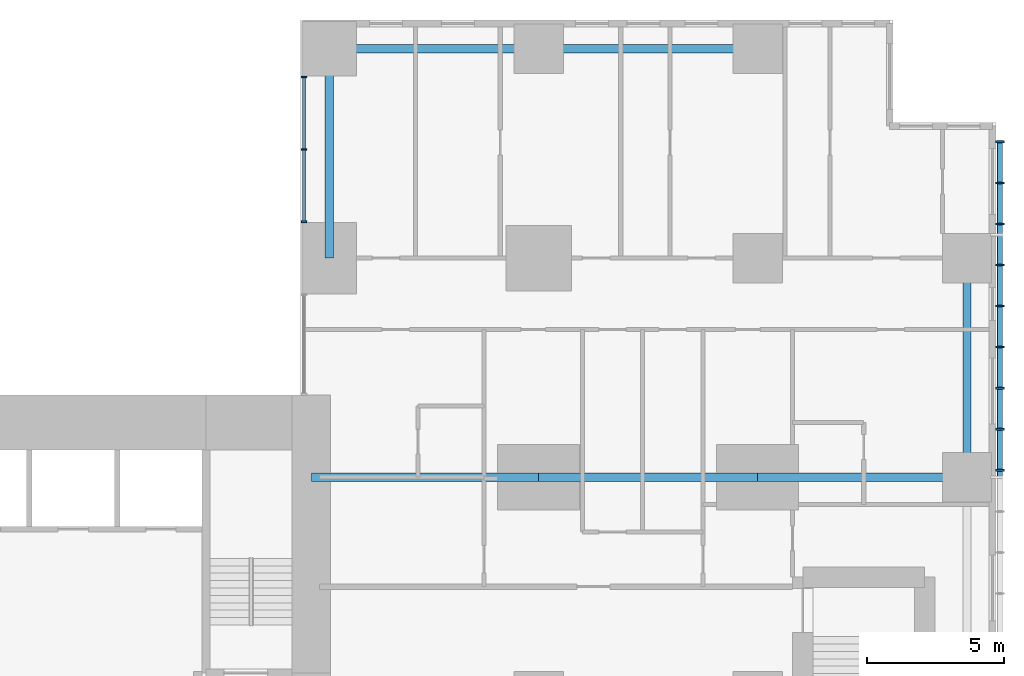
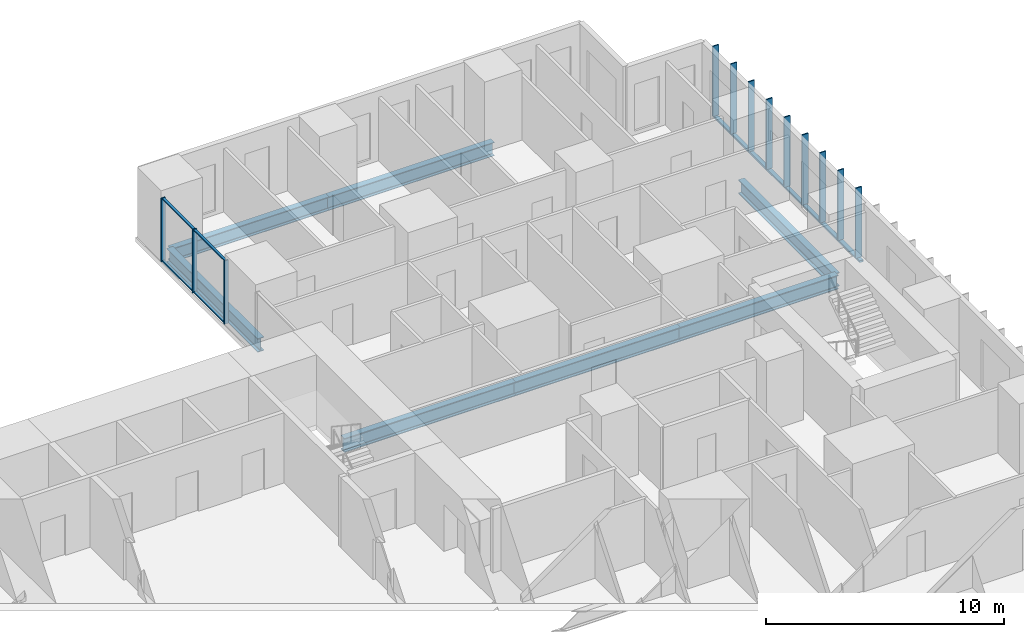
# One storey, part 5 of 15: 17 members, 7 beams, 1 element without a shape of its own.
"""IFC4 building model written with IfcOpenShell, lengths in metres."""

from ifc_helpers import new_model, si_unit, direction, frame, origin, origin_2d, place, context, subcontext, project, spatial, rectangle, hollow_rectangle, i_section, extrude, material, layer, layer_set, material_profile, profile_set, type_object, element, aggregate, save


model = new_model("IFC4")

# Units and contexts
model_context = context("Model", 3, precision=1e-05, world=origin(), true_north=direction((0.0, 1.0)))
body_context = subcontext(model_context, "Body", "Model", "MODEL_VIEW")
ifc_project = project(units=[si_unit("LENGTHUNIT", "METRE"), si_unit("AREAUNIT", "SQUARE_METRE"), si_unit("VOLUMEUNIT", "CUBIC_METRE"), si_unit("PLANEANGLEUNIT", "RADIAN"), si_unit("MASSUNIT", "GRAM", prefix="KILO")], contexts=[model_context])

# Site, building, storey
site_placement = place(None, origin())
site = spatial("IfcSite", under=ifc_project, at=site_placement, CompositionType="ELEMENT")
building_placement = place(site_placement, origin())
building = spatial("IfcBuilding", under=site, at=building_placement, Name="Cleftline Residences", CompositionType="ELEMENT")
storey_placement = place(building_placement, frame((0.0, 0.0, 221.800048828125)))
storey = spatial("IfcBuildingStorey", under=building, at=storey_placement, Name="L58", CompositionType="ELEMENT", Elevation=221.800048828125)

# Member
ifc_material_1 = material(Name="Steel S355, hot-dip galvanised", Category="steel")
ifc_material_profile_1 = material_profile(ifc_material_1, hollow_rectangle(XDim=0.10009765625, YDim=0.199951171875, WallThickness=0.008056640625, InnerFilletRadius=0.008056640625, OuterFilletRadius=0.011962890625, at=origin_2d()))
ifc_profile_set_1 = profile_set([ifc_material_profile_1], Name="Steel S355, hot-dip galvanised")
member_type_1 = type_object("IfcMemberType", Name="BAGUETTE CARRIER RHS 200X100X8", PredefinedType="USERDEFINED", material=ifc_profile_set_1)
member_1_placement = place(storey_placement, frame((66.85009765625, 32.0, -0.050048828125), z_axis=(0.0, 1.0, 0.0), x_axis=(0.0, 0.0, 1.0)))
element("IfcMember", 1, at=member_1_placement, inside=storey, type_object=member_type_1, Name="Baguette carrier", ObjectType="BAGUETTE CARRIER", PredefinedType="USERDEFINED", context=body_context, shape_type="SweptSolid", body=[
    extrude(hollow_rectangle(XDim=0.10009765625, YDim=0.199951171875, WallThickness=0.008056640625, InnerFilletRadius=0.008056640625, OuterFilletRadius=0.011962890625, at=origin_2d()), origin(), (0.0, 0.0, 1.0), 12.300048828125),
])

# Beams
ifc_material_2 = material(Name="Steel S355", Category="steel")
ifc_material_profile_2 = material_profile(ifc_material_2, i_section(OverallWidth=0.300048828125, OverallDepth=0.699951171875, WebThickness=0.01708984375, FlangeThickness=0.031982421875, FilletRadius=0.027099609375, at=origin_2d()))
ifc_profile_set_2 = profile_set([ifc_material_profile_2], Name="Steel S355")
beam_type_1 = type_object("IfcBeamType", Name="BEAM HEB 700", PredefinedType="BEAM", material=ifc_profile_set_2)
for number, where, z_axis, x_axis, name in (
    (2, (65.64990234375, 32.0, -0.60009765625), (0.0, 1.0, 0.0), (-1.0, 0.0, 0.0), "Edge beam"),
    (3, (58.0, 47.64990234375, -0.60009765625), (-1.0, 0.0, 0.0), (0.0, -1.0, 0.0), "Edge beam"),
):
    element("IfcBeam", number, at=place(storey_placement, frame(where, z_axis=z_axis, x_axis=x_axis)), inside=storey, type_object=beam_type_1, Name=name, PredefinedType="BEAM", context=body_context, shape_type="SweptSolid", body=[
        extrude(i_section(OverallWidth=0.300048828125, OverallDepth=0.699951171875, WebThickness=0.01708984375, FlangeThickness=0.031982421875, FilletRadius=0.027099609375, at=origin_2d()), origin(), (0.0, 0.0, 1.0), 8.0),
    ])
for number, where, z_axis, x_axis, name in (
    (4, (50.0, 47.64990234375, -0.60009765625), (-1.0, 0.0, 0.0), (0.0, -1.0, 0.0), "Edge beam"),
    (5, (42.35009765625, 47.64990234375, -0.60009765625), (0.0, -1.0, 0.0), (1.0, 0.0, 0.0), "Edge beam"),
):
    element("IfcBeam", number, at=place(storey_placement, frame(where, z_axis=z_axis, x_axis=x_axis)), inside=storey, type_object=beam_type_1, Name=name, PredefinedType="BEAM", context=body_context, shape_type="SweptSolid", body=[
        extrude(i_section(OverallWidth=0.300048828125, OverallDepth=0.699951171875, WebThickness=0.01708984375, FlangeThickness=0.031982421875, FilletRadius=0.027099609375, at=origin_2d()), origin(), (0.0, 0.0, 1.0), 7.64990234375),
    ])
ifc_material_3 = material(Name="Steel S355", Category="steel")
ifc_material_profile_3 = material_profile(ifc_material_3, i_section(OverallWidth=0.303955078125, OverallDepth=0.716064453125, WebThickness=0.02099609375, FlangeThickness=0.0400390625, FilletRadius=0.027099609375, at=origin_2d()))
ifc_profile_set_3 = profile_set([ifc_material_profile_3], Name="Steel S355")
beam_type_2 = type_object("IfcBeamType", Name="BEAM HEM 700", PredefinedType="BEAM", material=ifc_profile_set_3)
beam_1_placement = place(storey_placement, frame((65.64990234375, 32.0, -0.608154296875), z_axis=(-1.0, 0.0, 0.0), x_axis=(0.0, -1.0, 0.0)))
element("IfcBeam", 6, at=beam_1_placement, inside=storey, type_object=beam_type_2, Name="Band beam", PredefinedType="BEAM", context=body_context, shape_type="SweptSolid", body=[
    extrude(i_section(OverallWidth=0.303955078125, OverallDepth=0.716064453125, WebThickness=0.02099609375, FlangeThickness=0.0400390625, FilletRadius=0.027099609375, at=origin_2d()), origin(), (0.0, 0.0, 1.0), 7.64990234375),
])
beam_2_placement = place(storey_placement, frame((58.0, 32.0, -0.608154296875), z_axis=(-1.0, 0.0, 0.0), x_axis=(0.0, -1.0, 0.0)))
element("IfcBeam", 7, at=beam_2_placement, inside=storey, type_object=beam_type_2, Name="Band beam", PredefinedType="BEAM", context=body_context, shape_type="SweptSolid", body=[
    extrude(i_section(OverallWidth=0.303955078125, OverallDepth=0.716064453125, WebThickness=0.02099609375, FlangeThickness=0.0400390625, FilletRadius=0.027099609375, at=origin_2d()), origin(), (0.0, 0.0, 1.0), 8.0),
])
beam_3_placement = place(storey_placement, frame((50.0, 32.0, -0.608154296875), z_axis=(-1.0, 0.0, 0.0), x_axis=(0.0, -1.0, 0.0)))
element("IfcBeam", 8, at=beam_3_placement, inside=storey, type_object=beam_type_2, Name="Band beam", PredefinedType="BEAM", context=body_context, shape_type="SweptSolid", body=[
    extrude(i_section(OverallWidth=0.303955078125, OverallDepth=0.716064453125, WebThickness=0.02099609375, FlangeThickness=0.0400390625, FilletRadius=0.027099609375, at=origin_2d()), origin(), (0.0, 0.0, 1.0), 8.300048828125),
])

# Curtain wall, members
ifc_material_4 = material(Name="Aluminium framed curtain wall", Category="aluminium")
ifc_layer = layer(ifc_material_4, 0.199951171875)
ifc_layer_set = layer_set([ifc_layer], Name="CW1 CLEFT GLAZING")
curtain_wall_type = type_object("IfcCurtainWallType", Name="CW1 CLEFT GLAZING", PredefinedType="NOTDEFINED", material=ifc_layer_set)
curtain_wall_placement = place(storey_placement, origin())
curtain_wall = element("IfcCurtainWall", 9, at=curtain_wall_placement, inside=storey, type_object=curtain_wall_type, Name="Curtain wall CW1", PredefinedType="NOTDEFINED")
ifc_material_5 = material(Name="Aluminium mullion", Category="aluminium")
ifc_material_profile_4 = material_profile(ifc_material_5, rectangle(XDim=0.199951171875, YDim=0.06005859375, at=origin_2d()))
ifc_profile_set_4 = profile_set([ifc_material_profile_4], Name="Aluminium mullion")
member_type_2 = type_object("IfcMemberType", Name="CW1 MULLION", PredefinedType="MULLION", material=ifc_profile_set_4)
member_2_placement = place(storey_placement, frame((41.425048828125, 46.6201171875, 0.0), z_axis=(0.0, 0.0, 1.0), x_axis=(1.0, 0.0, 0.0)))
member_2 = element("IfcMember", 10, at=member_2_placement, type_object=member_type_2, Name="CW1 mullion 1", PredefinedType="MULLION", context=body_context, shape_type="SweptSolid", body=[
    extrude(rectangle(XDim=0.199951171875, YDim=0.06005859375, at=origin_2d()), origin(), (0.0, 0.0, 1.0), 3.25),
])
member_3_placement = place(storey_placement, frame((41.425048828125, 43.97509765625, 0.0), z_axis=(0.0, 0.0, 1.0), x_axis=(1.0, 0.0, 0.0)))
member_3 = element("IfcMember", 11, at=member_3_placement, type_object=member_type_2, Name="CW1 mullion 2", PredefinedType="MULLION", context=body_context, shape_type="SweptSolid", body=[
    extrude(rectangle(XDim=0.199951171875, YDim=0.06005859375, at=origin_2d()), origin(), (0.0, 0.0, 1.0), 3.25),
])
member_4_placement = place(storey_placement, frame((41.425048828125, 41.330078125, 0.0), z_axis=(0.0, 0.0, 1.0), x_axis=(1.0, 0.0, 0.0)))
member_4 = element("IfcMember", 12, at=member_4_placement, type_object=member_type_2, Name="CW1 mullion 3", PredefinedType="MULLION", context=body_context, shape_type="SweptSolid", body=[
    extrude(rectangle(XDim=0.199951171875, YDim=0.06005859375, at=origin_2d()), origin(), (0.0, 0.0, 1.0), 3.25),
])
ifc_material_6 = material(Name="Aluminium transom", Category="aluminium")
ifc_material_profile_5 = material_profile(ifc_material_6, rectangle(XDim=0.1201171875, YDim=0.06005859375, at=origin_2d()))
ifc_profile_set_5 = profile_set([ifc_material_profile_5], Name="Aluminium transom")
member_type_3 = type_object("IfcMemberType", Name="CW1 TRANSOM", PredefinedType="USERDEFINED", material=ifc_profile_set_5)
member_5_placement = place(storey_placement, frame((41.425048828125, 46.590087890625, 0.030029296875), z_axis=(0.0, -1.0, 0.0), x_axis=(1.0, 0.0, 0.0)))
member_5 = element("IfcMember", 13, at=member_5_placement, type_object=member_type_3, Name="CW1 transom 1.1", ObjectType="TRANSOM", PredefinedType="USERDEFINED", context=body_context, shape_type="SweptSolid", body=[
    extrude(rectangle(XDim=0.1201171875, YDim=0.06005859375, at=origin_2d()), origin(), (0.0, 0.0, 1.0), 2.585205078125),
])
member_6_placement = place(storey_placement, frame((41.425048828125, 46.590087890625, 3.219970703125), z_axis=(0.0, -1.0, 0.0), x_axis=(1.0, 0.0, 0.0)))
member_6 = element("IfcMember", 14, at=member_6_placement, type_object=member_type_3, Name="CW1 transom 1.2", ObjectType="TRANSOM", PredefinedType="USERDEFINED", context=body_context, shape_type="SweptSolid", body=[
    extrude(rectangle(XDim=0.1201171875, YDim=0.06005859375, at=origin_2d()), origin(), (0.0, 0.0, 1.0), 2.585205078125),
])
member_7_placement = place(storey_placement, frame((41.425048828125, 43.945068359375, 0.030029296875), z_axis=(0.0, -1.0, 0.0), x_axis=(1.0, 0.0, 0.0)))
member_7 = element("IfcMember", 15, at=member_7_placement, type_object=member_type_3, Name="CW1 transom 2.1", ObjectType="TRANSOM", PredefinedType="USERDEFINED", context=body_context, shape_type="SweptSolid", body=[
    extrude(rectangle(XDim=0.1201171875, YDim=0.06005859375, at=origin_2d()), origin(), (0.0, 0.0, 1.0), 2.5849609375),
])
member_8_placement = place(storey_placement, frame((41.425048828125, 43.945068359375, 3.219970703125), z_axis=(0.0, -1.0, 0.0), x_axis=(1.0, 0.0, 0.0)))
member_8 = element("IfcMember", 16, at=member_8_placement, type_object=member_type_3, Name="CW1 transom 2.2", ObjectType="TRANSOM", PredefinedType="USERDEFINED", context=body_context, shape_type="SweptSolid", body=[
    extrude(rectangle(XDim=0.1201171875, YDim=0.06005859375, at=origin_2d()), origin(), (0.0, 0.0, 1.0), 2.5849609375),
])
aggregate(curtain_wall, [member_2, member_3, member_4, member_5, member_6, member_7, member_8])

# Members
ifc_material_7 = material(Name="Extruded terracotta", Category="masonry")
ifc_material_profile_6 = material_profile(ifc_material_7, rectangle(XDim=0.06005859375, YDim=0.300048828125, at=origin_2d()))
ifc_profile_set_6 = profile_set([ifc_material_profile_6], Name="Extruded terracotta")
member_type_4 = type_object("IfcMemberType", Name="TERRACOTTA BAGUETTE 60X300", PredefinedType="USERDEFINED", material=ifc_profile_set_6)
for number, where, z_axis, x_axis, name in (
    (17, (66.85009765625, 32.25, 0.0), (0.0, 0.0, 1.0), (0.0, 1.0, 0.0), "Terracotta baguette"),
    (18, (66.85009765625, 33.75, 0.0), (0.0, 0.0, 1.0), (0.0, 1.0, 0.0), "Terracotta baguette"),
    (19, (66.85009765625, 35.25, 0.0), (0.0, 0.0, 1.0), (0.0, 1.0, 0.0), "Terracotta baguette"),
    (20, (66.85009765625, 36.75, 0.0), (0.0, 0.0, 1.0), (0.0, 1.0, 0.0), "Terracotta baguette"),
    (21, (66.85009765625, 38.25, 0.0), (0.0, 0.0, 1.0), (0.0, 1.0, 0.0), "Terracotta baguette"),
    (22, (66.85009765625, 39.75, 0.0), (0.0, 0.0, 1.0), (0.0, 1.0, 0.0), "Terracotta baguette"),
    (23, (66.85009765625, 41.25, 0.0), (0.0, 0.0, 1.0), (0.0, 1.0, 0.0), "Terracotta baguette"),
    (24, (66.85009765625, 42.75, 0.0), (0.0, 0.0, 1.0), (0.0, 1.0, 0.0), "Terracotta baguette"),
    (25, (66.85009765625, 44.25, 0.0), (0.0, 0.0, 1.0), (0.0, 1.0, 0.0), "Terracotta baguette"),
):
    element("IfcMember", number, at=place(storey_placement, frame(where, z_axis=z_axis, x_axis=x_axis)), inside=storey, type_object=member_type_4, Name=name, ObjectType="BAGUETTE", PredefinedType="USERDEFINED", context=body_context, shape_type="SweptSolid", body=[
        extrude(rectangle(XDim=0.06005859375, YDim=0.300048828125, at=origin_2d()), origin(), (0.0, 0.0, 1.0), 3.599853515625),
    ])

save(model, "model.ifc")
